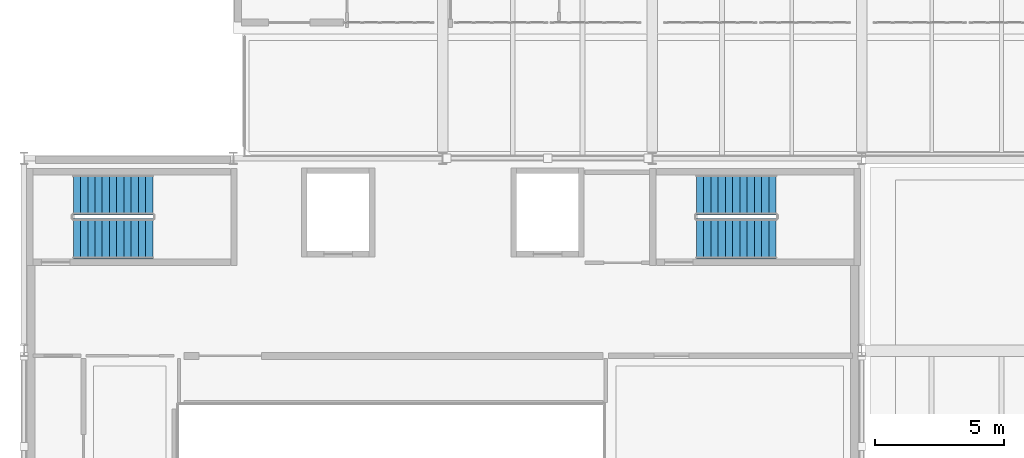
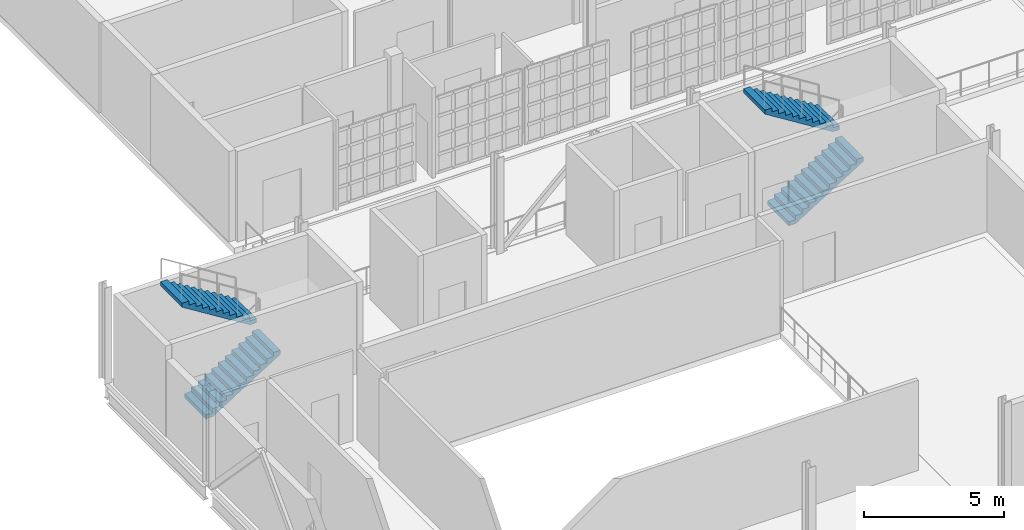
# One storey, part 21 of 25: 4 stair flights, 2 elements without a shape of their own.
"""IFC4 building model written with IfcOpenShell, lengths in metres."""

from ifc_helpers import new_model, si_unit, direction, frame, origin, place, context, subcontext, project, spatial, polyline, outline, extrude, material, type_object, element, aggregate, save


model = new_model("IFC4")

# Units and contexts
model_context = context("Model", 3, precision=1e-05, world=origin(), true_north=direction((0.0, 1.0)))
body_context = subcontext(model_context, "Body", "Model", "MODEL_VIEW")
ifc_project = project(units=[si_unit("LENGTHUNIT", "METRE"), si_unit("AREAUNIT", "SQUARE_METRE"), si_unit("VOLUMEUNIT", "CUBIC_METRE"), si_unit("PLANEANGLEUNIT", "RADIAN"), si_unit("MASSUNIT", "GRAM", prefix="KILO")], contexts=[model_context])

# Site, building, storey
site_placement = place(None, origin())
site = spatial("IfcSite", under=ifc_project, at=site_placement, CompositionType="ELEMENT")
building_placement = place(site_placement, origin())
building = spatial("IfcBuilding", under=site, at=building_placement, Name="Kaelora Sail Theatre", CompositionType="ELEMENT")
storey_placement = place(building_placement, frame((0.0, 0.0, 19.199951171875)))
storey = spatial("IfcBuildingStorey", under=building, at=storey_placement, Name="L04", CompositionType="ELEMENT", Elevation=19.199951171875)

# Stair, stair flights
ifc_material_1 = material(Name="Concrete C40/50", Category="concrete")
stair_type = type_object("IfcStairType", Name="ARC-ST-ESC150", PredefinedType="HALF_TURN_STAIR", material=ifc_material_1)
stair_1_placement = place(storey_placement, origin())
stair_1 = element("IfcStair", 1, at=stair_1_placement, inside=storey, type_object=stair_type, Name="L04 ST-K1", PredefinedType="HALF_TURN_STAIR")
ifc_material_2 = material(Name="Concrete C40/50", Category="concrete")
stair_flight_type = type_object("IfcStairFlightType", Name="ARC-SF-150", PredefinedType="STRAIGHT", material=ifc_material_2)
stair_flight_1_placement = place(storey_placement, frame((27.7099609375, 80.22509765625, 0.0), z_axis=(0.0, 0.0, 1.0), x_axis=(1.0, 0.0, 0.0)))
stair_flight_1 = element("IfcStairFlight", 2, at=stair_flight_1_placement, type_object=stair_flight_type, Name="ST-K1 flight 1", NumberOfRisers=12, NumberOfTreads=11, PredefinedType="STRAIGHT", RiserHeight=0.175, TreadLength=0.28, context=body_context, shape_type="SweptSolid", body=[
    extrude(outline(polyline([(0.0, 0.0), (0.0, 0.175048828125), (0.280029296875, 0.175048828125), (0.280029296875, 0.35009765625), (0.56005859375, 0.35009765625), (0.56005859375, 0.52490234375), (0.840087890625, 0.52490234375), (0.840087890625, 0.699951171875), (1.1201171875, 0.699951171875), (1.1201171875, 0.875), (1.39990234375, 0.875), (1.39990234375, 1.050048828125), (1.679931640625, 1.050048828125), (1.679931640625, 1.22509765625), (1.9599609375, 1.22509765625), (1.9599609375, 1.39990234375), (2.239990234375, 1.39990234375), (2.239990234375, 1.574951171875), (2.52001953125, 1.574951171875), (2.52001953125, 1.75), (2.800048828125, 1.75), (2.800048828125, 1.925048828125), (3.080078125, 1.925048828125), (3.080078125, 2.10009765625), (3.080078125, 1.748291015625), (0.28271484375, 0.0), (0.0, 0.0)])), frame((0.0, 0.77490234375, 0.0), z_axis=(0.0, -1.0, 0.0), x_axis=(1.0, 0.0, 0.0)), (0.0, 0.0, 1.0), 1.550048828125),
])
stair_flight_2_placement = place(storey_placement, frame((30.7900390625, 81.925048828125, 2.10009765625), z_axis=(0.0, 0.0, 1.0), x_axis=(-1.0, 0.0, 0.0)))
stair_flight_2 = element("IfcStairFlight", 3, at=stair_flight_2_placement, type_object=stair_flight_type, Name="ST-K1 flight 2", NumberOfRisers=12, NumberOfTreads=11, PredefinedType="STRAIGHT", RiserHeight=0.175, TreadLength=0.28, context=body_context, shape_type="SweptSolid", body=[
    extrude(outline(polyline([(0.0, 0.0), (0.0, 0.175048828125), (0.280029296875, 0.175048828125), (0.280029296875, 0.35009765625), (0.56005859375, 0.35009765625), (0.56005859375, 0.52490234375), (0.840087890625, 0.52490234375), (0.840087890625, 0.699951171875), (1.1201171875, 0.699951171875), (1.1201171875, 0.875), (1.39990234375, 0.875), (1.39990234375, 1.050048828125), (1.679931640625, 1.050048828125), (1.679931640625, 1.22509765625), (1.9599609375, 1.22509765625), (1.9599609375, 1.39990234375), (2.239990234375, 1.39990234375), (2.239990234375, 1.574951171875), (2.52001953125, 1.574951171875), (2.52001953125, 1.75), (2.800048828125, 1.75), (2.800048828125, 1.925048828125), (3.080078125, 1.925048828125), (3.080078125, 2.10009765625), (3.080078125, 1.748291015625), (0.28271484375, 0.0), (0.0, 0.0)])), frame((0.0, 0.77490234375, 0.0), z_axis=(0.0, -1.0, 0.0), x_axis=(1.0, 0.0, 0.0)), (0.0, 0.0, 1.0), 1.550048828125),
])
aggregate(stair_1, [stair_flight_1, stair_flight_2])

stair_2_placement = place(storey_placement, origin())
stair_2 = element("IfcStair", 4, at=stair_2_placement, inside=storey, type_object=stair_type, Name="L04 ST-K5", PredefinedType="HALF_TURN_STAIR")
stair_flight_3_placement = place(storey_placement, frame((51.81005859375, 80.22509765625, 0.0), z_axis=(0.0, 0.0, 1.0), x_axis=(1.0, 0.0, 0.0)))
stair_flight_3 = element("IfcStairFlight", 5, at=stair_flight_3_placement, type_object=stair_flight_type, Name="ST-K5 flight 1", NumberOfRisers=12, NumberOfTreads=11, PredefinedType="STRAIGHT", RiserHeight=0.175, TreadLength=0.28, context=body_context, shape_type="SweptSolid", body=[
    extrude(outline(polyline([(0.0, 0.0), (0.0, 0.175048828125), (0.280029296875, 0.175048828125), (0.280029296875, 0.35009765625), (0.56005859375, 0.35009765625), (0.56005859375, 0.52490234375), (0.840087890625, 0.52490234375), (0.840087890625, 0.699951171875), (1.1201171875, 0.699951171875), (1.1201171875, 0.875), (1.39990234375, 0.875), (1.39990234375, 1.050048828125), (1.679931640625, 1.050048828125), (1.679931640625, 1.22509765625), (1.9599609375, 1.22509765625), (1.9599609375, 1.39990234375), (2.239990234375, 1.39990234375), (2.239990234375, 1.574951171875), (2.52001953125, 1.574951171875), (2.52001953125, 1.75), (2.800048828125, 1.75), (2.800048828125, 1.925048828125), (3.080078125, 1.925048828125), (3.080078125, 2.10009765625), (3.080078125, 1.748291015625), (0.28271484375, 0.0), (0.0, 0.0)])), frame((0.0, 0.77490234375, 0.0), z_axis=(0.0, -1.0, 0.0), x_axis=(1.0, 0.0, 0.0)), (0.0, 0.0, 1.0), 1.550048828125),
])
stair_flight_4_placement = place(storey_placement, frame((54.889892578125, 81.925048828125, 2.10009765625), z_axis=(0.0, 0.0, 1.0), x_axis=(-1.0, 0.0, 0.0)))
stair_flight_4 = element("IfcStairFlight", 6, at=stair_flight_4_placement, type_object=stair_flight_type, Name="ST-K5 flight 2", NumberOfRisers=12, NumberOfTreads=11, PredefinedType="STRAIGHT", RiserHeight=0.175, TreadLength=0.28, context=body_context, shape_type="SweptSolid", body=[
    extrude(outline(polyline([(0.0, 0.0), (0.0, 0.175048828125), (0.280029296875, 0.175048828125), (0.280029296875, 0.35009765625), (0.56005859375, 0.35009765625), (0.56005859375, 0.52490234375), (0.840087890625, 0.52490234375), (0.840087890625, 0.699951171875), (1.1201171875, 0.699951171875), (1.1201171875, 0.875), (1.39990234375, 0.875), (1.39990234375, 1.050048828125), (1.679931640625, 1.050048828125), (1.679931640625, 1.22509765625), (1.9599609375, 1.22509765625), (1.9599609375, 1.39990234375), (2.239990234375, 1.39990234375), (2.239990234375, 1.574951171875), (2.52001953125, 1.574951171875), (2.52001953125, 1.75), (2.800048828125, 1.75), (2.800048828125, 1.925048828125), (3.080078125, 1.925048828125), (3.080078125, 2.10009765625), (3.080078125, 1.748291015625), (0.28271484375, 0.0), (0.0, 0.0)])), frame((0.0, 0.77490234375, 0.0), z_axis=(0.0, -1.0, 0.0), x_axis=(1.0, 0.0, 0.0)), (0.0, 0.0, 1.0), 1.550048828125),
])
aggregate(stair_2, [stair_flight_3, stair_flight_4])

save(model, "model.ifc")
